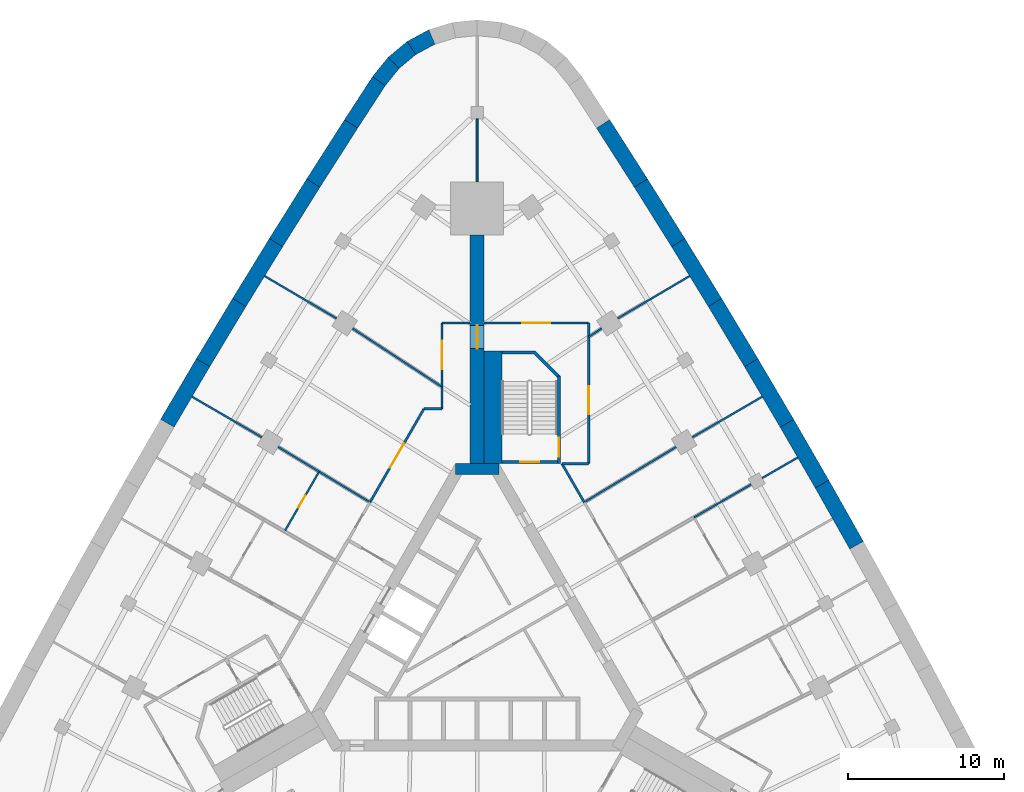
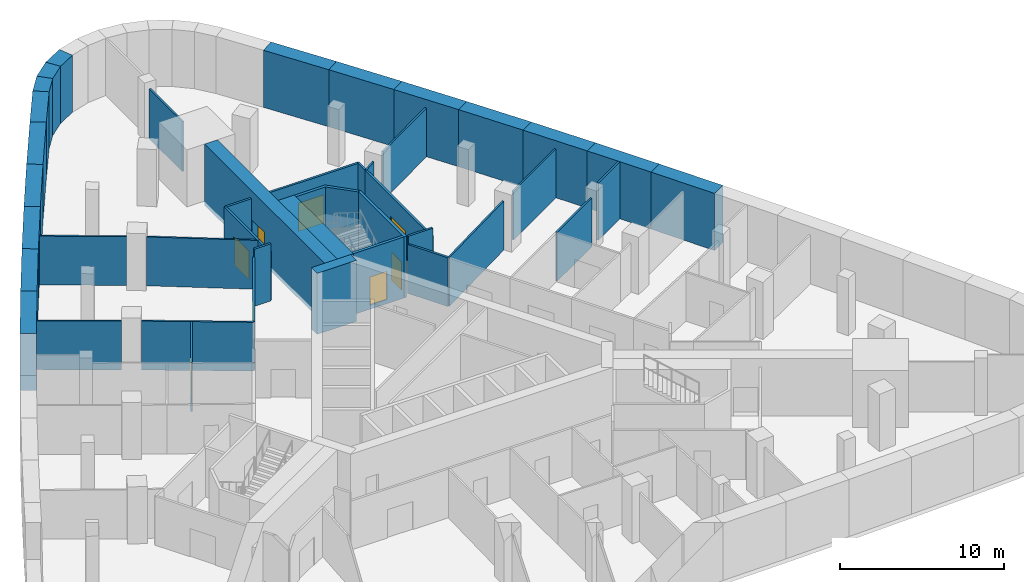
# One storey, part 7 of 9: 45 walls, 8 doors, 8 openings.
"""IFC4 building model written with IfcOpenShell, lengths in metres."""

from ifc_helpers import new_model, si_unit, direction, frame, frame_2d, origin, place, context, subcontext, project, spatial, polyline, rectangle, outline, extrude, material, layer, layer_set, type_object, element, fill, save


model = new_model("IFC4")

# Units and contexts
model_context = context("Model", 3, precision=1e-05, world=origin(), true_north=direction((0.0, 1.0)))
body_context = subcontext(model_context, "Body", "Model", "MODEL_VIEW")
ifc_project = project(units=[si_unit("LENGTHUNIT", "METRE"), si_unit("AREAUNIT", "SQUARE_METRE"), si_unit("VOLUMEUNIT", "CUBIC_METRE"), si_unit("PLANEANGLEUNIT", "RADIAN"), si_unit("MASSUNIT", "GRAM", prefix="KILO")], contexts=[model_context])

# Site, building, storey
site_placement = place(None, origin())
site = spatial("IfcSite", under=ifc_project, at=site_placement, CompositionType="ELEMENT")
building_placement = place(site_placement, origin())
building = spatial("IfcBuilding", under=site, at=building_placement, Name="Noor Cloister Tower", CompositionType="ELEMENT")
storey_placement = place(building_placement, frame((0.0, 0.0, -4.5)))
storey = spatial("IfcBuildingStorey", under=building, at=storey_placement, Name="B1", CompositionType="ELEMENT", Elevation=-4.5)

# Wall, opening, door
ifc_material_1 = material(Name="Concrete C80/95", Category="concrete")
ifc_layer_1 = layer(ifc_material_1, 0.89990234375)
ifc_layer_set_1 = layer_set([ifc_layer_1], Name="Buttress wall 900 C80/95")
wall_type_1 = type_object("IfcWallType", Name="Buttress wall 900 C80/95", PredefinedType="SHEAR", material=ifc_layer_set_1)
wall_1_placement = place(storey_placement, frame((0.0, 11.456298828125, -0.300048828125), z_axis=(0.0, 0.0, 1.0), x_axis=(0.0, 1.0, 0.0)))
wall_1 = element("IfcWall", 1, at=wall_1_placement, inside=storey, type_object=wall_type_1, Name="Buttress wall N B1", PredefinedType="SHEAR", context=body_context, shape_type="SweptSolid", body=[
    extrude(rectangle(XDim=14.6328125, YDim=0.89990234375, at=frame_2d((7.31640625, 0.0))), origin(), (0.0, 0.0, 1.0), 4.550048828125),
])
opening_1_placement = place(wall_1_placement, frame((7.35009765625, 0.0, 0.300048828125)))
opening_1 = element("IfcOpeningElement", 2, at=opening_1_placement, cuts=wall_1, Name="Opening B1-029", PredefinedType="OPENING", context=body_context, shape_type="SweptSolid", body=[
    extrude(rectangle(XDim=1.5, YDim=2.10009765625, at=frame_2d((0.75, 1.050048828125))), frame((0.0, 0.4599609375, 0.0), z_axis=(0.0, -1.0, 0.0), x_axis=(1.0, 0.0, 0.0)), (0.0, 0.0, 1.0), 0.919921875),
])
ifc_material_2 = material(Name="Steel fire door", Category="steel")
door_type_1 = type_object("IfcDoorType", Name="Smoke barrier door FD60 1500", OperationType="DOUBLE_DOOR_SINGLE_SWING", PredefinedType="DOOR", material=ifc_material_2)
door_1_placement = place(opening_1_placement, origin())
door_1 = element("IfcDoor", 3, at=door_1_placement, inside=storey, type_object=door_type_1, Name="Door B1-029", OperationType="DOUBLE_DOOR_SINGLE_SWING", OverallHeight=2.10009765625, OverallWidth=1.5, PredefinedType="DOOR", context=body_context, shape_type="SweptSolid", body=[
    extrude(rectangle(XDim=1.5, YDim=2.10009765625, at=frame_2d((0.75, 1.050048828125))), frame((0.0, 0.02490234375, 0.0), z_axis=(0.0, -1.0, 0.0), x_axis=(1.0, 0.0, 0.0)), (0.0, 0.0, 1.0), 0.050048828125),
])
fill(opening_1, door_1)

# Walls
ifc_material_3 = material(Name="Concrete C80/95", Category="concrete")
ifc_layer_2 = layer(ifc_material_3, 0.699951171875)
ifc_layer_set_2 = layer_set([ifc_layer_2], Name="Core wall 700 C80/95")
wall_type_2 = type_object("IfcWallType", Name="Core wall 700 C80/95", PredefinedType="SHEAR", material=ifc_layer_set_2)
wall_2_placement = place(storey_placement, frame((1.3857421875, 11.1064453125, -0.300048828125), z_axis=(0.0, 0.0, 1.0), x_axis=(-1.0, 0.0, 0.0)))
element("IfcWall", 4, at=wall_2_placement, inside=storey, type_object=wall_type_2, Name="Core wall B1 4", PredefinedType="SHEAR", context=body_context, shape_type="SweptSolid", body=[
    extrude(rectangle(XDim=2.771484375, YDim=0.699951171875, at=frame_2d((1.3857421875, 0.0))), origin(), (0.0, 0.0, 1.0), 4.550048828125),
])
ifc_material_4 = material(Name="Plasterboard on steel studs", Category="steel")
ifc_layer_3 = layer(ifc_material_4, 0.14990234375)
ifc_layer_set_3 = layer_set([ifc_layer_3], Name="Corridor wall 150")
wall_type_3 = type_object("IfcWallType", Name="Corridor wall 150", PredefinedType="PARTITIONING", material=ifc_layer_set_3)
wall_3_placement = place(storey_placement, frame((6.85498046875, 8.98193359375, 0.0), z_axis=(0.0, 0.0, 1.0), x_axis=(-0.500176439337, 0.865923512519, 0.0)))
element("IfcWall", 5, at=wall_3_placement, inside=storey, type_object=wall_type_3, Name="Partition", PredefinedType="PARTITIONING", context=body_context, shape_type="SweptSolid", body=[
    extrude(rectangle(XDim=2.85498046875, YDim=0.14990234375, at=frame_2d((1.427490234375, 0.0))), origin(), (0.0, 0.0, 1.0), 3.637939453125),
])
wall_4_placement = place(storey_placement, frame((5.427001953125, 11.4560546875, 0.0), z_axis=(0.0, 0.0, 1.0), x_axis=(1.0, 0.0, 0.0)))
element("IfcWall", 6, at=wall_4_placement, inside=storey, type_object=wall_type_3, Name="Partition", PredefinedType="PARTITIONING", context=body_context, shape_type="SweptSolid", body=[
    extrude(rectangle(XDim=1.7080078125, YDim=0.14990234375, at=frame_2d((0.85400390625, 0.0))), origin(), (0.0, 0.0, 1.0), 4.25),
])

# Wall, opening, door
wall_5_placement = place(storey_placement, frame((7.135986328125, 11.45703125, 0.0), z_axis=(0.0, 0.0, 1.0), x_axis=(0.0, 1.0, 0.0)))
wall_5 = element("IfcWall", 7, at=wall_5_placement, inside=storey, type_object=wall_type_3, Name="Partition", PredefinedType="PARTITIONING", context=body_context, shape_type="SweptSolid", body=[
    extrude(rectangle(XDim=8.10595703125, YDim=0.14990234375, at=frame_2d((4.052978515625, 0.0))), origin(), (0.0, 0.0, 1.0), 3.637939453125),
])
opening_2_placement = place(wall_5_placement, frame((3.14990234375, 0.0, 0.0)))
opening_2 = element("IfcOpeningElement", 8, at=opening_2_placement, cuts=wall_5, Name="Opening B1-024", PredefinedType="OPENING", context=body_context, shape_type="SweptSolid", body=[
    extrude(rectangle(XDim=1.800048828125, YDim=2.10009765625, at=frame_2d((0.89990234375, 1.050048828125))), frame((0.0, 0.0849609375, 0.0), z_axis=(0.0, -1.0, 0.0), x_axis=(1.0, 0.0, 0.0)), (0.0, 0.0, 1.0), 0.169921875),
])
ifc_material_5 = material(Name="Timber door leaf", Category="wood")
door_type_2 = type_object("IfcDoorType", Name="Double leaf door 1800", OperationType="DOUBLE_DOOR_SINGLE_SWING", PredefinedType="DOOR", material=ifc_material_5)
door_2_placement = place(opening_2_placement, origin())
door_2 = element("IfcDoor", 9, at=door_2_placement, inside=storey, type_object=door_type_2, Name="Door B1-024", OperationType="DOUBLE_DOOR_SINGLE_SWING", OverallHeight=2.10009765625, OverallWidth=1.800048828125, PredefinedType="DOOR", context=body_context, shape_type="SweptSolid", body=[
    extrude(rectangle(XDim=1.800048828125, YDim=2.10009765625, at=frame_2d((0.89990234375, 1.050048828125))), frame((0.0, 0.02490234375, 0.0), z_axis=(0.0, -1.0, 0.0), x_axis=(1.0, 0.0, 0.0)), (0.0, 0.0, 1.0), 0.050048828125),
])
fill(opening_2, door_2)

# Wall
wall_6_placement = place(storey_placement, frame((7.135986328125, 19.56298828125, 0.0), z_axis=(0.0, 0.0, 1.0), x_axis=(0.0, 1.0, 0.0)))
element("IfcWall", 10, at=wall_6_placement, inside=storey, type_object=wall_type_3, Name="Partition", PredefinedType="PARTITIONING", context=body_context, shape_type="SweptSolid", body=[
    extrude(rectangle(XDim=0.89306640625, YDim=0.14990234375, at=frame_2d((0.446533203125, 0.0))), origin(), (0.0, 0.0, 1.0), 3.637939453125),
])

# Wall, opening, door
wall_7_placement = place(storey_placement, frame((7.135986328125, 20.4560546875, 0.0), z_axis=(0.0, 0.0, 1.0), x_axis=(-1.0, 0.0, 0.0)))
wall_7 = element("IfcWall", 11, at=wall_7_placement, inside=storey, type_object=wall_type_3, Name="Partition", PredefinedType="PARTITIONING", context=body_context, shape_type="SweptSolid", body=[
    extrude(rectangle(XDim=6.68603515625, YDim=0.14990234375, at=frame_2d((3.343017578125, 0.0))), origin(), (0.0, 0.0, 1.0), 3.637939453125),
])
opening_3_placement = place(wall_7_placement, frame((2.449951171875, 0.0, 0.0)))
opening_3 = element("IfcOpeningElement", 12, at=opening_3_placement, cuts=wall_7, Name="Opening B1-026", PredefinedType="OPENING", context=body_context, shape_type="SweptSolid", body=[
    extrude(rectangle(XDim=1.800048828125, YDim=2.10009765625, at=frame_2d((0.89990234375, 1.050048828125))), frame((0.0, 0.0849609375, 0.0), z_axis=(0.0, -1.0, 0.0), x_axis=(1.0, 0.0, 0.0)), (0.0, 0.0, 1.0), 0.169921875),
])
door_3_placement = place(opening_3_placement, origin())
door_3 = element("IfcDoor", 13, at=door_3_placement, inside=storey, type_object=door_type_2, Name="Door B1-026", OperationType="DOUBLE_DOOR_SINGLE_SWING", OverallHeight=2.10009765625, OverallWidth=1.800048828125, PredefinedType="DOOR", context=body_context, shape_type="SweptSolid", body=[
    extrude(rectangle(XDim=1.800048828125, YDim=2.10009765625, at=frame_2d((0.89990234375, 1.050048828125))), frame((0.0, 0.02490234375, 0.0), z_axis=(0.0, -1.0, 0.0), x_axis=(1.0, 0.0, 0.0)), (0.0, 0.0, 1.0), 0.050048828125),
])
fill(opening_3, door_3)

# Walls
wall_8_placement = place(storey_placement, frame((-2.25, 16.366943359375, 0.0), z_axis=(0.0, 0.0, 1.0), x_axis=(0.0, -1.0, 0.0)))
element("IfcWall", 14, at=wall_8_placement, inside=storey, type_object=wall_type_3, Name="Partition", PredefinedType="PARTITIONING", context=body_context, shape_type="SweptSolid", body=[
    extrude(rectangle(XDim=1.410888671875, YDim=0.14990234375, at=frame_2d((0.70556640625, 0.0))), origin(), (0.0, 0.0, 1.0), 3.637939453125),
])
wall_9_placement = place(storey_placement, frame((-2.25, 14.9560546875, 0.0), z_axis=(0.0, 0.0, 1.0), x_axis=(-1.0, 0.0, 0.0)))
element("IfcWall", 15, at=wall_9_placement, inside=storey, type_object=wall_type_3, Name="Partition", PredefinedType="PARTITIONING", context=body_context, shape_type="SweptSolid", body=[
    extrude(rectangle(XDim=1.156005859375, YDim=0.14990234375, at=frame_2d((0.578125, 0.0))), origin(), (0.0, 0.0, 1.0), 4.25),
])

# Wall, opening, door
wall_10_placement = place(storey_placement, frame((-3.406005859375, 14.9560546875, 0.0), z_axis=(0.0, 0.0, 1.0), x_axis=(-0.500041102678, -0.866001671842, 0.0)))
wall_10 = element("IfcWall", 16, at=wall_10_placement, inside=storey, type_object=wall_type_3, Name="Partition", PredefinedType="PARTITIONING", context=body_context, shape_type="SweptSolid", body=[
    extrude(rectangle(XDim=6.8974609375, YDim=0.14990234375, at=frame_2d((3.44873046875, 0.0))), origin(), (0.0, 0.0, 1.0), 3.637939453125),
])
opening_4_placement = place(wall_10_placement, frame((2.550048828125, 0.0, 0.0)))
opening_4 = element("IfcOpeningElement", 17, at=opening_4_placement, cuts=wall_10, Name="Opening B1-023", PredefinedType="OPENING", context=body_context, shape_type="SweptSolid", body=[
    extrude(rectangle(XDim=1.800048828125, YDim=2.10009765625, at=frame_2d((0.89990234375, 1.050048828125))), frame((0.0, 0.0849609375, 0.0), z_axis=(0.0, -1.0, 0.0), x_axis=(1.0, 0.0, 0.0)), (0.0, 0.0, 1.0), 0.169921875),
])
door_4_placement = place(opening_4_placement, origin())
door_4 = element("IfcDoor", 18, at=door_4_placement, inside=storey, type_object=door_type_2, Name="Door B1-023", OperationType="DOUBLE_DOOR_SINGLE_SWING", OverallHeight=2.10009765625, OverallWidth=1.800048828125, PredefinedType="DOOR", context=body_context, shape_type="SweptSolid", body=[
    extrude(rectangle(XDim=1.800048828125, YDim=2.10009765625, at=frame_2d((0.89990234375, 1.050048828125))), frame((0.0, 0.02490234375, 0.0), z_axis=(0.0, -1.0, 0.0), x_axis=(1.0, 0.0, 0.0)), (0.0, 0.0, 1.0), 0.050048828125),
])
fill(opening_4, door_4)

# Wall
wall_11_placement = place(storey_placement, frame((-0.449951171875, 20.4560546875, 0.0), z_axis=(0.0, 0.0, 1.0), x_axis=(-1.0, 0.0, 0.0)))
element("IfcWall", 19, at=wall_11_placement, inside=storey, type_object=wall_type_3, Name="Partition", PredefinedType="PARTITIONING", context=body_context, shape_type="SweptSolid", body=[
    extrude(rectangle(XDim=1.800048828125, YDim=0.14990234375, at=frame_2d((0.89990234375, 0.0))), origin(), (0.0, 0.0, 1.0), 3.637939453125),
])

# Wall, opening, door
wall_12_placement = place(storey_placement, frame((-2.25, 20.4560546875, 0.0), z_axis=(0.0, 0.0, 1.0), x_axis=(0.0, -1.0, 0.0)))
wall_12 = element("IfcWall", 20, at=wall_12_placement, inside=storey, type_object=wall_type_3, Name="Partition", PredefinedType="PARTITIONING", context=body_context, shape_type="SweptSolid", body=[
    extrude(rectangle(XDim=4.089111328125, YDim=0.14990234375, at=frame_2d((2.04443359375, 0.0))), origin(), (0.0, 0.0, 1.0), 3.637939453125),
])
opening_5_placement = place(wall_12_placement, frame((1.14990234375, 0.0, 0.0)))
opening_5 = element("IfcOpeningElement", 21, at=opening_5_placement, cuts=wall_12, Name="Opening B1-025", PredefinedType="OPENING", context=body_context, shape_type="SweptSolid", body=[
    extrude(rectangle(XDim=1.800048828125, YDim=2.10009765625, at=frame_2d((0.89990234375, 1.050048828125))), frame((0.0, 0.0849609375, 0.0), z_axis=(0.0, -1.0, 0.0), x_axis=(1.0, 0.0, 0.0)), (0.0, 0.0, 1.0), 0.169921875),
])
door_5_placement = place(opening_5_placement, origin())
door_5 = element("IfcDoor", 22, at=door_5_placement, inside=storey, type_object=door_type_2, Name="Door B1-025", OperationType="DOUBLE_DOOR_SINGLE_SWING", OverallHeight=2.10009765625, OverallWidth=1.800048828125, PredefinedType="DOOR", context=body_context, shape_type="SweptSolid", body=[
    extrude(rectangle(XDim=1.800048828125, YDim=2.10009765625, at=frame_2d((0.89990234375, 1.050048828125))), frame((0.0, 0.02490234375, 0.0), z_axis=(0.0, -1.0, 0.0), x_axis=(1.0, 0.0, 0.0)), (0.0, 0.0, 1.0), 0.050048828125),
])
fill(opening_5, door_5)

# Walls
ifc_material_6 = material(Name="Concrete C50/60", Category="concrete")
ifc_layer_4 = layer(ifc_material_6, 1.0)
ifc_layer_set_4 = layer_set([ifc_layer_4], Name="Diaphragm wall 1000")
wall_type_4 = type_object("IfcWallType", Name="Diaphragm wall 1000", PredefinedType="SOLIDWALL", material=ifc_layer_set_4)
wall_13_placement = place(storey_placement, origin())
element("IfcWall", 23, at=wall_13_placement, inside=storey, type_object=wall_type_4, Name="Basement wall 08", PredefinedType="SOLIDWALL", context=body_context, shape_type="SweptSolid", body=[
    extrude(outline(polyline([(-3.08935546875, 39.222900390625), (-4.482177734375, 38.469970703125), (-3.919189453125, 37.6376953125), (-2.701416015625, 38.2958984375), (-3.08935546875, 39.222900390625)])), origin(), (0.0, 0.0, 1.0), 4.25),
])
wall_14_placement = place(storey_placement, origin())
element("IfcWall", 24, at=wall_14_placement, inside=storey, type_object=wall_type_4, Name="Basement wall 09", PredefinedType="SOLIDWALL", context=body_context, shape_type="SweptSolid", body=[
    extrude(outline(polyline([(-4.482177734375, 38.469970703125), (-5.699462890625, 37.45751953125), (-4.983642578125, 36.752197265625), (-3.919189453125, 37.6376953125), (-4.482177734375, 38.469970703125)])), origin(), (0.0, 0.0, 1.0), 4.25),
])
wall_15_placement = place(storey_placement, origin())
element("IfcWall", 25, at=wall_15_placement, inside=storey, type_object=wall_type_4, Name="Basement wall 10", PredefinedType="SOLIDWALL", context=body_context, shape_type="SweptSolid", body=[
    extrude(outline(polyline([(-5.699462890625, 37.45751953125), (-6.693603515625, 36.22509765625), (-5.883056640625, 35.63720703125), (-4.983642578125, 36.752197265625), (-5.699462890625, 37.45751953125)])), origin(), (0.0, 0.0, 1.0), 4.25),
])
wall_16_placement = place(storey_placement, origin())
element("IfcWall", 26, at=wall_16_placement, inside=storey, type_object=wall_type_4, Name="Basement wall 11", PredefinedType="SOLIDWALL", context=body_context, shape_type="SweptSolid", body=[
    extrude(outline(polyline([(-6.693603515625, 36.22509765625), (-8.486083984375, 33.466796875), (-7.6455078125, 32.925048828125), (-5.883056640625, 35.63720703125), (-6.693603515625, 36.22509765625)])), origin(), (0.0, 0.0, 1.0), 4.25),
])
wall_17_placement = place(storey_placement, origin())
element("IfcWall", 27, at=wall_17_placement, inside=storey, type_object=wall_type_4, Name="Basement wall 12", PredefinedType="SOLIDWALL", context=body_context, shape_type="SweptSolid", body=[
    extrude(outline(polyline([(-8.486083984375, 33.466796875), (-10.908935546875, 29.674560546875), (-10.063720703125, 29.139892578125), (-7.6455078125, 32.925048828125), (-8.486083984375, 33.466796875)])), origin(), (0.0, 0.0, 1.0), 4.25),
])
wall_18_placement = place(storey_placement, origin())
element("IfcWall", 28, at=wall_18_placement, inside=storey, type_object=wall_type_4, Name="Basement wall 13", PredefinedType="SOLIDWALL", context=body_context, shape_type="SweptSolid", body=[
    extrude(outline(polyline([(-10.908935546875, 29.674560546875), (-13.29736328125, 25.86083984375), (-12.447509765625, 25.333740234375), (-10.063720703125, 29.139892578125), (-10.908935546875, 29.674560546875)])), origin(), (0.0, 0.0, 1.0), 4.25),
])
wall_19_placement = place(storey_placement, origin())
element("IfcWall", 29, at=wall_19_placement, inside=storey, type_object=wall_type_4, Name="Basement wall 14", PredefinedType="SOLIDWALL", context=body_context, shape_type="SweptSolid", body=[
    extrude(outline(polyline([(-13.29736328125, 25.86083984375), (-15.651611328125, 22.02587890625), (-14.797119140625, 21.50634765625), (-12.447509765625, 25.333740234375), (-13.29736328125, 25.86083984375)])), origin(), (0.0, 0.0, 1.0), 4.25),
])
wall_20_placement = place(storey_placement, origin())
element("IfcWall", 30, at=wall_20_placement, inside=storey, type_object=wall_type_4, Name="Basement wall 15", PredefinedType="SOLIDWALL", context=body_context, shape_type="SweptSolid", body=[
    extrude(outline(polyline([(-15.651611328125, 22.02587890625), (-17.971435546875, 18.169677734375), (-17.112060546875, 17.658203125), (-14.797119140625, 21.50634765625), (-15.651611328125, 22.02587890625)])), origin(), (0.0, 0.0, 1.0), 4.25),
])
wall_21_placement = place(storey_placement, origin())
element("IfcWall", 31, at=wall_21_placement, inside=storey, type_object=wall_type_4, Name="Basement wall 16", PredefinedType="SOLIDWALL", context=body_context, shape_type="SweptSolid", body=[
    extrude(outline(polyline([(-17.971435546875, 18.169677734375), (-20.25634765625, 14.29296875), (-19.392578125, 13.7890625), (-17.112060546875, 17.658203125), (-17.971435546875, 18.169677734375)])), origin(), (0.0, 0.0, 1.0), 4.25),
])
wall_22_placement = place(storey_placement, origin())
element("IfcWall", 32, at=wall_22_placement, inside=storey, type_object=wall_type_4, Name="Basement wall 62", PredefinedType="SOLIDWALL", context=body_context, shape_type="SweptSolid", body=[
    extrude(outline(polyline([(24.72119140625, 6.478759765625), (22.50634765625, 10.39599609375), (21.637939453125, 9.89990234375), (23.848388671875, 5.990478515625), (24.72119140625, 6.478759765625)])), origin(), (0.0, 0.0, 1.0), 4.25),
])
wall_23_placement = place(storey_placement, origin())
element("IfcWall", 33, at=wall_23_placement, inside=storey, type_object=wall_type_4, Name="Basement wall 63", PredefinedType="SOLIDWALL", context=body_context, shape_type="SweptSolid", body=[
    extrude(outline(polyline([(22.50634765625, 10.39599609375), (20.25634765625, 14.29296875), (19.392578125, 13.7890625), (21.637939453125, 9.89990234375), (22.50634765625, 10.39599609375)])), origin(), (0.0, 0.0, 1.0), 4.25),
])
wall_24_placement = place(storey_placement, origin())
element("IfcWall", 34, at=wall_24_placement, inside=storey, type_object=wall_type_4, Name="Basement wall 64", PredefinedType="SOLIDWALL", context=body_context, shape_type="SweptSolid", body=[
    extrude(outline(polyline([(20.25634765625, 14.29296875), (17.971435546875, 18.169677734375), (17.112060546875, 17.658203125), (19.392578125, 13.7890625), (20.25634765625, 14.29296875)])), origin(), (0.0, 0.0, 1.0), 4.25),
])
wall_25_placement = place(storey_placement, origin())
element("IfcWall", 35, at=wall_25_placement, inside=storey, type_object=wall_type_4, Name="Basement wall 65", PredefinedType="SOLIDWALL", context=body_context, shape_type="SweptSolid", body=[
    extrude(outline(polyline([(17.971435546875, 18.169677734375), (15.651611328125, 22.02587890625), (14.797119140625, 21.50634765625), (17.112060546875, 17.658203125), (17.971435546875, 18.169677734375)])), origin(), (0.0, 0.0, 1.0), 4.25),
])
wall_26_placement = place(storey_placement, origin())
element("IfcWall", 36, at=wall_26_placement, inside=storey, type_object=wall_type_4, Name="Basement wall 66", PredefinedType="SOLIDWALL", context=body_context, shape_type="SweptSolid", body=[
    extrude(outline(polyline([(15.651611328125, 22.02587890625), (13.29736328125, 25.86083984375), (12.447509765625, 25.333740234375), (14.797119140625, 21.50634765625), (15.651611328125, 22.02587890625)])), origin(), (0.0, 0.0, 1.0), 4.25),
])
wall_27_placement = place(storey_placement, origin())
element("IfcWall", 37, at=wall_27_placement, inside=storey, type_object=wall_type_4, Name="Basement wall 67", PredefinedType="SOLIDWALL", context=body_context, shape_type="SweptSolid", body=[
    extrude(outline(polyline([(13.29736328125, 25.86083984375), (10.908935546875, 29.674560546875), (10.063720703125, 29.139892578125), (12.447509765625, 25.333740234375), (13.29736328125, 25.86083984375)])), origin(), (0.0, 0.0, 1.0), 4.25),
])
wall_28_placement = place(storey_placement, origin())
element("IfcWall", 38, at=wall_28_placement, inside=storey, type_object=wall_type_4, Name="Basement wall 68", PredefinedType="SOLIDWALL", context=body_context, shape_type="SweptSolid", body=[
    extrude(outline(polyline([(10.908935546875, 29.674560546875), (8.486083984375, 33.466796875), (7.6455078125, 32.925048828125), (10.063720703125, 29.139892578125), (10.908935546875, 29.674560546875)])), origin(), (0.0, 0.0, 1.0), 4.25),
])

# Wall, opening, door
ifc_material_7 = material(Name="Plasterboard on steel studs", Category="steel")
ifc_layer_5 = layer(ifc_material_7, 0.1201171875)
ifc_layer_set_5 = layer_set([ifc_layer_5], Name="Partition wall 120")
wall_type_5 = type_object("IfcWallType", Name="Partition wall 120", PredefinedType="PARTITIONING", material=ifc_layer_set_5)
wall_29_placement = place(storey_placement, frame((-10.112060546875, 10.94189453125, 0.0), z_axis=(0.0, 0.0, 1.0), x_axis=(-0.500084296963, -0.86597672944, 0.0)))
wall_29 = element("IfcWall", 39, at=wall_29_placement, inside=storey, type_object=wall_type_5, Name="Partition", PredefinedType="PARTITIONING", context=body_context, shape_type="SweptSolid", body=[
    extrude(rectangle(XDim=4.419189453125, YDim=0.1201171875, at=frame_2d((2.20947265625, 0.0))), origin(), (0.0, 0.0, 1.0), 3.637939453125),
])
opening_6_placement = place(wall_29_placement, frame((1.75, 0.0, 0.0)))
opening_6 = element("IfcOpeningElement", 40, at=opening_6_placement, cuts=wall_29, Name="Opening B1-022", PredefinedType="OPENING", context=body_context, shape_type="SweptSolid", body=[
    extrude(rectangle(XDim=0.89990234375, YDim=2.10009765625, at=frame_2d((0.449951171875, 1.050048828125))), frame((0.0, 0.070068359375, 0.0), z_axis=(0.0, -1.0, 0.0), x_axis=(1.0, 0.0, 0.0)), (0.0, 0.0, 1.0), 0.14013671875),
])
ifc_material_8 = material(Name="Timber door leaf", Category="wood")
door_type_3 = type_object("IfcDoorType", Name="Service room door 900", OperationType="SINGLE_SWING_LEFT", PredefinedType="DOOR", material=ifc_material_8)
door_6_placement = place(opening_6_placement, origin())
door_6 = element("IfcDoor", 41, at=door_6_placement, inside=storey, type_object=door_type_3, Name="Door B1-022", OperationType="SINGLE_SWING_RIGHT", OverallHeight=2.10009765625, OverallWidth=0.89990234375, PredefinedType="DOOR", context=body_context, shape_type="SweptSolid", body=[
    extrude(rectangle(XDim=0.89990234375, YDim=2.10009765625, at=frame_2d((0.449951171875, 1.050048828125))), frame((0.0, 0.02490234375, 0.0), z_axis=(0.0, -1.0, 0.0), x_axis=(1.0, 0.0, 0.0)), (0.0, 0.0, 1.0), 0.050048828125),
])
fill(opening_6, door_6)

# Walls
wall_30_placement = place(storey_placement, frame((-6.85693359375, 8.98291015625, 0.0), z_axis=(0.0, 0.0, 1.0), x_axis=(-0.856573791655, 0.516024553147, 0.0)))
element("IfcWall", 42, at=wall_30_placement, inside=storey, type_object=wall_type_5, Name="Partition", PredefinedType="PARTITIONING", context=body_context, shape_type="SweptSolid", body=[
    extrude(rectangle(XDim=3.802490234375, YDim=0.1201171875, at=frame_2d((1.9013671875, 0.0))), origin(), (0.0, 0.0, 1.0), 3.637939453125),
])
wall_31_placement = place(storey_placement, frame((17.54296875, 10.1279296875, 0.0), z_axis=(0.0, 0.0, 1.0), x_axis=(-0.865987734199, -0.50006523996, 0.0)))
element("IfcWall", 43, at=wall_31_placement, inside=storey, type_object=wall_type_5, Name="Partition", PredefinedType="PARTITIONING", context=body_context, shape_type="SweptSolid", body=[
    extrude(rectangle(XDim=4.2333984375, YDim=0.1201171875, at=frame_2d((2.11669921875, 0.0))), origin(), (0.0, 0.0, 1.0), 3.637939453125),
])
wall_32_placement = place(storey_placement, frame((20.514892578125, 11.843994140625, 0.0), z_axis=(0.0, 0.0, 1.0), x_axis=(-0.865984721421, -0.500070457302, 0.0)))
element("IfcWall", 44, at=wall_32_placement, inside=storey, type_object=wall_type_5, Name="Partition", PredefinedType="PARTITIONING", context=body_context, shape_type="SweptSolid", body=[
    extrude(rectangle(XDim=2.63134765625, YDim=0.1201171875, at=frame_2d((1.315673828125, 0.0))), origin(), (0.0, 0.0, 1.0), 4.25),
])
wall_33_placement = place(storey_placement, frame((12.736083984375, 12.52392578125, 0.0), z_axis=(0.0, 0.0, 1.0), x_axis=(-0.856559377083, -0.516048479827, 0.0)))
element("IfcWall", 45, at=wall_33_placement, inside=storey, type_object=wall_type_5, Name="Partition", PredefinedType="PARTITIONING", context=body_context, shape_type="SweptSolid", body=[
    extrude(rectangle(XDim=6.86376953125, YDim=0.1201171875, at=frame_2d((3.431884765625, 0.0))), origin(), (0.0, 0.0, 1.0), 3.637939453125),
])
for number, where, z_axis, x_axis, name in (
    (46, (18.2451171875, 15.736083984375, 0.0), (0.0, 0.0, 1.0), (-0.864615819332, -0.502433562734, 0.0), "Partition"),
    (47, (-13.76904296875, 13.135009765625, 0.0), (0.0, 0.0, 1.0), (-0.864615819332, 0.502433562734, 0.0), "Partition"),
):
    element("IfcWall", number, at=place(storey_placement, frame(where, z_axis=z_axis, x_axis=x_axis)), inside=storey, type_object=wall_type_5, Name=name, PredefinedType="PARTITIONING", context=body_context, shape_type="SweptSolid", body=[
        extrude(rectangle(XDim=5.177001953125, YDim=0.1201171875, at=frame_2d((2.58837890625, 0.0))), origin(), (0.0, 0.0, 1.0), 3.633056640625),
    ])
wall_34_placement = place(storey_placement, frame((-10.10791015625, 10.94091796875, 0.0), z_axis=(0.0, 0.0, 1.0), x_axis=(-0.856614023764, 0.515957764058, 0.0)))
element("IfcWall", 48, at=wall_34_placement, inside=storey, type_object=wall_type_5, Name="Partition", PredefinedType="PARTITIONING", context=body_context, shape_type="SweptSolid", body=[
    extrude(rectangle(XDim=3.068115234375, YDim=0.1201171875, at=frame_2d((1.5341796875, 0.0))), origin(), (0.0, 0.0, 1.0), 3.637939453125),
])
wall_35_placement = place(storey_placement, frame((-8.991943359375, 20.742919921875, 0.0), z_axis=(0.0, 0.0, 1.0), x_axis=(-0.861446814084, 0.507847798563, 0.0)))
element("IfcWall", 49, at=wall_35_placement, inside=storey, type_object=wall_type_5, Name="Partition", PredefinedType="PARTITIONING", context=body_context, shape_type="SweptSolid", body=[
    extrude(rectangle(XDim=5.34814453125, YDim=0.1201171875, at=frame_2d((2.674072265625, 0.0))), origin(), (0.0, 0.0, 1.0), 3.633056640625),
])
wall_36_placement = place(storey_placement, frame((-2.251953125, 16.366943359375, 0.0), z_axis=(0.0, 0.0, 1.0), x_axis=(-0.83688089218, 0.547385031129, 0.0)))
element("IfcWall", 50, at=wall_36_placement, inside=storey, type_object=wall_type_5, Name="Partition", PredefinedType="PARTITIONING", context=body_context, shape_type="SweptSolid", body=[
    extrude(rectangle(XDim=6.8359375, YDim=0.1201171875, at=frame_2d((3.41796875, 0.0))), origin(), (0.0, 0.0, 1.0), 3.637939453125),
])
wall_37_placement = place(storey_placement, frame((7.972900390625, 20.10888671875, 0.0), z_axis=(0.0, 0.0, 1.0), x_axis=(-0.836986858992, -0.547222987341, 0.0)))
element("IfcWall", 51, at=wall_37_placement, inside=storey, type_object=wall_type_5, Name="Partition", PredefinedType="PARTITIONING", context=body_context, shape_type="SweptSolid", body=[
    extrude(rectangle(XDim=0.99755859375, YDim=0.1201171875, at=frame_2d((0.498779296875, 0.0))), origin(), (0.0, 0.0, 1.0), 3.637939453125),
])
wall_38_placement = place(storey_placement, frame((13.59912109375, 23.458984375, 0.0), z_axis=(0.0, 0.0, 1.0), x_axis=(-0.861446814084, -0.507847798563, 0.0)))
element("IfcWall", 52, at=wall_38_placement, inside=storey, type_object=wall_type_5, Name="Partition", PredefinedType="PARTITIONING", context=body_context, shape_type="SweptSolid", body=[
    extrude(rectangle(XDim=5.34814453125, YDim=0.1201171875, at=frame_2d((2.674072265625, 0.0))), origin(), (0.0, 0.0, 1.0), 3.633056640625),
])
wall_39_placement = place(storey_placement, frame((0.0, 29.489013671875, 0.0), z_axis=(0.0, 0.0, 1.0), x_axis=(0.0, 1.0, 0.0)))
element("IfcWall", 53, at=wall_39_placement, inside=storey, type_object=wall_type_5, Name="Partition", PredefinedType="PARTITIONING", context=body_context, shape_type="SweptSolid", body=[
    extrude(rectangle(XDim=4.02392578125, YDim=0.1201171875, at=frame_2d((2.011962890625, 0.0))), origin(), (0.0, 0.0, 1.0), 3.717041015625),
])
ifc_material_9 = material(Name="Concrete C80/95", Category="concrete")
ifc_layer_6 = layer(ifc_material_9, 1.135986328125)
ifc_layer_set_6 = layer_set([ifc_layer_6], Name="Stair enclosure wall 1136 C80/95")
wall_type_6 = type_object("IfcWallType", Name="Stair enclosure wall 1136 C80/95", PredefinedType="SHEAR", material=ifc_layer_set_6)
wall_40_placement = place(storey_placement, frame((1.017822265625, 11.456298828125, -0.300048828125), z_axis=(0.0, 0.0, 1.0), x_axis=(0.0, 1.0, 0.0)))
element("IfcWall", 54, at=wall_40_placement, inside=storey, type_object=wall_type_6, Name="Stair enclosure wall ST1 B1 riser side", PredefinedType="SHEAR", context=body_context, shape_type="SweptSolid", body=[
    extrude(rectangle(XDim=7.2001953125, YDim=1.1357421875, at=frame_2d((3.60009765625, 0.0))), origin(), (0.0, 0.0, 1.0), 4.550048828125),
])

# Wall, opening, door
ifc_material_10 = material(Name="Concrete C80/95", Category="concrete")
ifc_layer_7 = layer(ifc_material_10, 0.199951171875)
ifc_layer_set_7 = layer_set([ifc_layer_7], Name="Stair enclosure wall 200 C80/95")
wall_type_7 = type_object("IfcWallType", Name="Stair enclosure wall 200 C80/95", PredefinedType="SHEAR", material=ifc_layer_set_7)
wall_41_placement = place(storey_placement, frame((5.135498046875, 11.556396484375, -0.300048828125), z_axis=(0.0, 0.0, 1.0), x_axis=(-1.0, 0.0, 0.0)))
wall_41 = element("IfcWall", 55, at=wall_41_placement, inside=storey, type_object=wall_type_7, Name="Stair enclosure wall ST1 B1 near end", PredefinedType="SHEAR", context=body_context, shape_type="SweptSolid", body=[
    extrude(rectangle(XDim=3.5498046875, YDim=0.199951171875, at=frame_2d((1.77490234375, 0.0))), origin(), (0.0, 0.0, 1.0), 4.550048828125),
])
opening_7_placement = place(wall_41_placement, frame((1.175048828125, 0.0, 0.300048828125)))
opening_7 = element("IfcOpeningElement", 56, at=opening_7_placement, cuts=wall_41, Name="Opening B1-ST1L", PredefinedType="OPENING", context=body_context, shape_type="SweptSolid", body=[
    extrude(rectangle(XDim=1.199951171875, YDim=2.10009765625, at=frame_2d((0.60009765625, 1.050048828125))), frame((0.0, 0.10986328125, 0.0), z_axis=(0.0, -1.0, 0.0), x_axis=(1.0, 0.0, 0.0)), (0.0, 0.0, 1.0), 0.219970703125),
])
ifc_material_11 = material(Name="Steel", Category="steel")
door_type_4 = type_object("IfcDoorType", Name="Stair door 1200 x 2100 FD120", OperationType="SINGLE_SWING_LEFT", PredefinedType="DOOR", material=ifc_material_11)
door_7_placement = place(opening_7_placement, origin())
door_7 = element("IfcDoor", 57, at=door_7_placement, inside=storey, type_object=door_type_4, Name="Stair door ST1 B1", OperationType="SINGLE_SWING_RIGHT", OverallHeight=2.10009765625, OverallWidth=1.199951171875, PredefinedType="DOOR", context=body_context, shape_type="SweptSolid", body=[
    extrude(rectangle(XDim=1.199951171875, YDim=2.10009765625, at=frame_2d((0.60009765625, 1.050048828125))), frame((0.0, 0.02490234375, 0.0), z_axis=(0.0, -1.0, 0.0), x_axis=(1.0, 0.0, 0.0)), (0.0, 0.0, 1.0), 0.050048828125),
])
fill(opening_7, door_7)

wall_42_placement = place(storey_placement, frame((5.235595703125, 11.456298828125, -0.300048828125), z_axis=(0.0, 0.0, 1.0), x_axis=(0.0, 1.0, 0.0)))
wall_42 = element("IfcWall", 58, at=wall_42_placement, inside=storey, type_object=wall_type_7, Name="Stair enclosure wall ST1 B1 outer side", PredefinedType="SHEAR", context=body_context, shape_type="SweptSolid", body=[
    extrude(rectangle(XDim=5.60009765625, YDim=0.199951171875, at=frame_2d((2.800048828125, 0.0))), origin(), (0.0, 0.0, 1.0), 4.550048828125),
])
opening_8_placement = place(wall_42_placement, frame((0.449951171875, 0.0, 0.300048828125)))
opening_8 = element("IfcOpeningElement", 59, at=opening_8_placement, cuts=wall_42, Name="Opening B1-ST1C", PredefinedType="OPENING", context=body_context, shape_type="SweptSolid", body=[
    extrude(rectangle(XDim=1.199951171875, YDim=2.10009765625, at=frame_2d((0.60009765625, 1.050048828125))), frame((0.0, 0.10986328125, 0.0), z_axis=(0.0, -1.0, 0.0), x_axis=(1.0, 0.0, 0.0)), (0.0, 0.0, 1.0), 0.219970703125),
])
door_8_placement = place(opening_8_placement, origin())
door_8 = element("IfcDoor", 60, at=door_8_placement, inside=storey, type_object=door_type_4, Name="Stair door ST1 B1", OperationType="SINGLE_SWING_LEFT", OverallHeight=2.10009765625, OverallWidth=1.199951171875, PredefinedType="DOOR", context=body_context, shape_type="SweptSolid", body=[
    extrude(rectangle(XDim=1.199951171875, YDim=2.10009765625, at=frame_2d((0.60009765625, 1.050048828125))), frame((0.0, 0.02490234375, 0.0), z_axis=(0.0, -1.0, 0.0), x_axis=(1.0, 0.0, 0.0)), (0.0, 0.0, 1.0), 0.050048828125),
])
fill(opening_8, door_8)

# Wall
ifc_material_12 = material(Name="Concrete C80/95", Category="concrete")
wall_type_8 = type_object("IfcWallType", Name="Stair far end wall C80/95", PredefinedType="SHEAR", material=ifc_material_12)
wall_43_placement = place(storey_placement, frame((0.0, 0.0, -0.300048828125)))
element("IfcWall", 61, at=wall_43_placement, inside=storey, type_object=wall_type_8, Name="Stair enclosure wall ST1 B1 far end", PredefinedType="SHEAR", context=body_context, shape_type="SweptSolid", body=[
    extrude(outline(polyline([(5.335693359375, 17.056396484375), (3.735595703125, 18.656494140625), (1.585693359375, 18.656494140625), (1.585693359375, 18.456298828125), (3.65283203125, 18.456298828125), (5.135498046875, 16.9736328125), (5.135498046875, 17.056396484375), (5.135498046875, 17.056396484375), (5.135498046875, 17.056396484375), (5.135498046875, 17.056396484375), (5.135498046875, 17.056396484375), (5.135498046875, 17.056396484375), (5.135498046875, 17.056396484375), (5.135498046875, 17.056396484375), (5.135498046875, 17.056396484375), (5.135498046875, 17.056396484375), (5.135498046875, 17.056396484375), (5.135498046875, 17.056396484375), (5.135498046875, 17.056396484375), (5.135498046875, 17.056396484375), (5.135498046875, 17.056396484375), (5.135498046875, 17.056396484375), (5.135498046875, 17.056396484375), (5.335693359375, 17.056396484375)])), origin(), (0.0, 0.0, 1.0), 4.550048828125),
])

save(model, "model.ifc")
